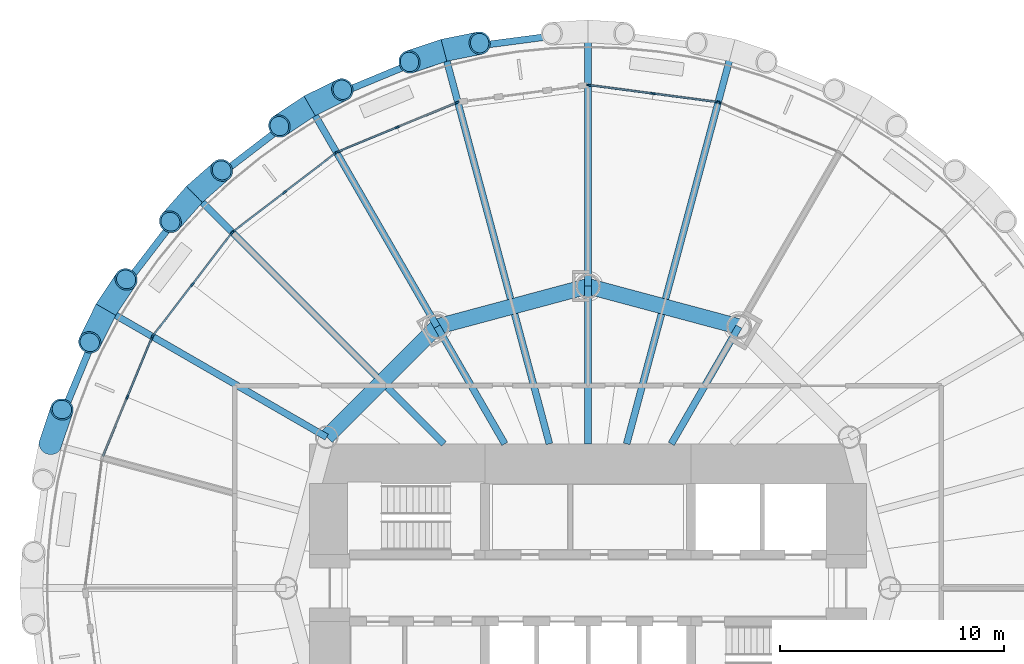
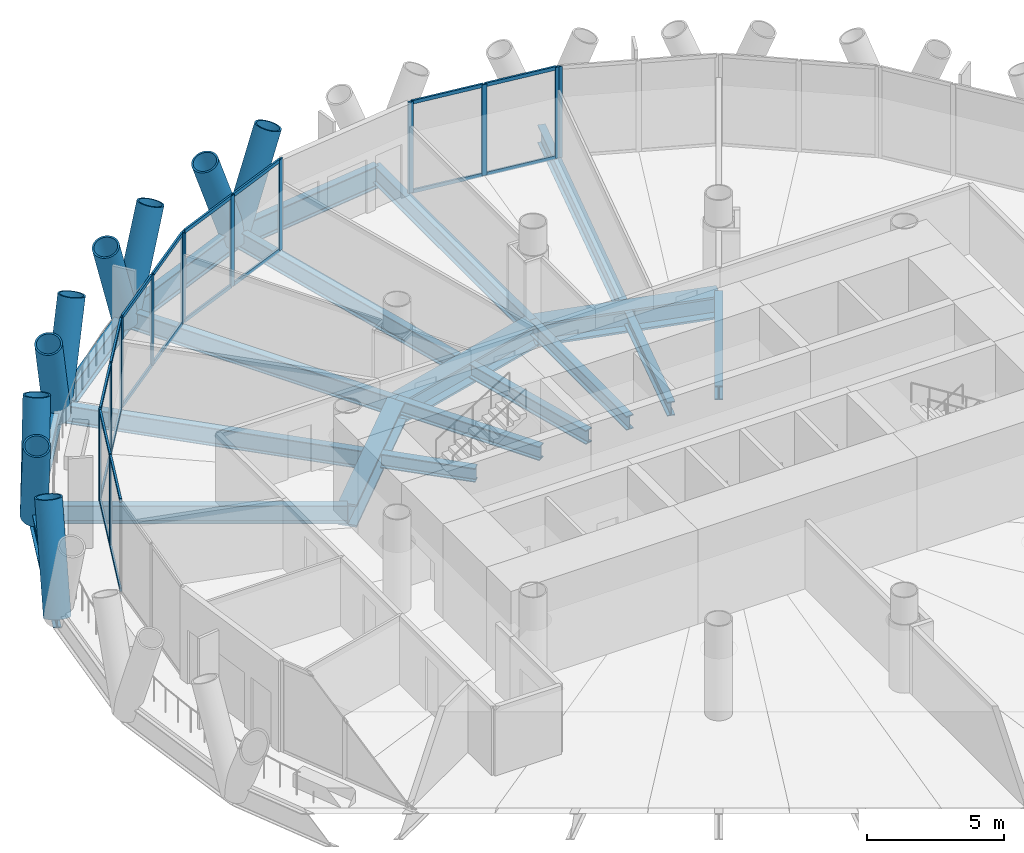
# One storey, part 5 of 15: 44 members, 20 beams, 6 elements without a shape of their own.
"""IFC4 building model written with IfcOpenShell, lengths in metres."""

from ifc_helpers import new_model, si_unit, direction, frame, origin, origin_2d, place, context, subcontext, project, spatial, rectangle, hollow_circle, i_section, extrude, material, material_profile, profile_set, type_object, element, aggregate, save


model = new_model("IFC4")

# Units and contexts
model_context = context("Model", 3, precision=1e-05, world=origin(), true_north=direction((0.0, 1.0)))
body_context = subcontext(model_context, "Body", "Model", "MODEL_VIEW")
ifc_project = project(units=[si_unit("LENGTHUNIT", "METRE"), si_unit("AREAUNIT", "SQUARE_METRE"), si_unit("VOLUMEUNIT", "CUBIC_METRE"), si_unit("PLANEANGLEUNIT", "RADIAN"), si_unit("MASSUNIT", "GRAM", prefix="KILO")], contexts=[model_context])

# Site, building, storey
site_placement = place(None, origin())
site = spatial("IfcSite", under=ifc_project, at=site_placement, CompositionType="ELEMENT")
building_placement = place(site_placement, origin())
building = spatial("IfcBuilding", under=site, at=building_placement, Name="Qaws Media Tower", CompositionType="ELEMENT")
storey_placement = place(building_placement, frame((0.0, 0.0, 143.60009765625)))
storey = spatial("IfcBuildingStorey", under=building, at=storey_placement, Name="L32", CompositionType="ELEMENT", Elevation=143.60009765625)

# Curtain wall, member
ifc_material_1 = material(Name="Aluminium and clear glass", Category="aluminium")
curtain_wall_type = type_object("IfcCurtainWallType", Name="Unitised curtain wall CW-B", PredefinedType="NOTDEFINED", material=ifc_material_1)
curtain_wall_1_placement = place(storey_placement, origin())
curtain_wall_1 = element("IfcCurtainWall", 1, at=curtain_wall_1_placement, inside=storey, type_object=curtain_wall_type, Name="CWB curtain wall L32-05", PredefinedType="NOTDEFINED")
ifc_material_2 = material(Name="Aluminium mullion", Category="aluminium")
ifc_material_profile_1 = material_profile(ifc_material_2, rectangle(XDim=0.080078125, YDim=0.199951171875, at=origin_2d()), Name="80x200")
ifc_profile_set_1 = profile_set([ifc_material_profile_1], Name="Aluminium mullion")
member_type_1 = type_object("IfcMemberType", Name="Curtain wall mullion 80x200", PredefinedType="MULLION", material=ifc_profile_set_1)
member_1_placement = place(storey_placement, frame((65.8603515625, 71.718017578125, 0.0), z_axis=(0.0, 0.0, 1.0), x_axis=(-0.38268338799, -0.923879550892, 0.0)))
member_1 = element("IfcMember", 2, at=member_1_placement, type_object=member_type_1, Name="CWB mullion 3", PredefinedType="MULLION", context=body_context, shape_type="SweptSolid", body=[
    extrude(rectangle(XDim=0.080078125, YDim=0.199951171875, at=origin_2d()), origin(), (0.0, 0.0, 1.0), 4.039794921875),
])
aggregate(curtain_wall_1, [member_1])

# Curtain wall, members
curtain_wall_2_placement = place(storey_placement, origin())
curtain_wall_2 = element("IfcCurtainWall", 3, at=curtain_wall_2_placement, inside=storey, type_object=curtain_wall_type, Name="CWB curtain wall L32-06", PredefinedType="NOTDEFINED")
member_2_placement = place(storey_placement, frame((65.78369140625, 71.738525390625, 0.0), z_axis=(0.0, 0.0, 1.0), x_axis=(-0.13052619684, -0.991444860766, 0.0)))
member_2 = element("IfcMember", 4, at=member_2_placement, type_object=member_type_1, Name="CWB mullion 1", PredefinedType="MULLION", context=body_context, shape_type="SweptSolid", body=[
    extrude(rectangle(XDim=0.080078125, YDim=0.199951171875, at=origin_2d()), origin(), (0.0, 0.0, 1.0), 4.039794921875),
])
member_3_placement = place(storey_placement, frame((62.91162109375, 72.11669921875, 0.0), z_axis=(0.0, 0.0, 1.0), x_axis=(-0.13052619684, -0.991444860766, 0.0)))
member_3 = element("IfcMember", 5, at=member_3_placement, type_object=member_type_1, Name="CWB mullion 2", PredefinedType="MULLION", context=body_context, shape_type="SweptSolid", body=[
    extrude(rectangle(XDim=0.080078125, YDim=0.199951171875, at=origin_2d()), origin(), (0.0, 0.0, 1.0), 4.039794921875),
])
member_4_placement = place(storey_placement, frame((60.03955078125, 72.494873046875, 0.0), z_axis=(0.0, 0.0, 1.0), x_axis=(-0.13052619684, -0.991444860766, 0.0)))
member_4 = element("IfcMember", 6, at=member_4_placement, type_object=member_type_1, Name="CWB mullion 3", PredefinedType="MULLION", context=body_context, shape_type="SweptSolid", body=[
    extrude(rectangle(XDim=0.080078125, YDim=0.199951171875, at=origin_2d()), origin(), (0.0, 0.0, 1.0), 4.039794921875),
])

curtain_wall_3_placement = place(storey_placement, origin())
curtain_wall_3 = element("IfcCurtainWall", 7, at=curtain_wall_3_placement, inside=storey, type_object=curtain_wall_type, Name="CWB curtain wall L32-08", PredefinedType="NOTDEFINED")
member_5_placement = place(storey_placement, frame((54.1396484375, 71.718017578125, 0.0), z_axis=(0.0, 0.0, 1.0), x_axis=(0.38268338799, -0.923879550892, 0.0)))
member_5 = element("IfcMember", 8, at=member_5_placement, type_object=member_type_1, Name="CWB mullion 1", PredefinedType="MULLION", context=body_context, shape_type="SweptSolid", body=[
    extrude(rectangle(XDim=0.080078125, YDim=0.199951171875, at=origin_2d()), origin(), (0.0, 0.0, 1.0), 4.039794921875),
])
member_6_placement = place(storey_placement, frame((51.46337890625, 70.609375, 0.0), z_axis=(0.0, 0.0, 1.0), x_axis=(0.38268338799, -0.923879550892, 0.0)))
member_6 = element("IfcMember", 9, at=member_6_placement, type_object=member_type_1, Name="CWB mullion 2", PredefinedType="MULLION", context=body_context, shape_type="SweptSolid", body=[
    extrude(rectangle(XDim=0.080078125, YDim=0.199951171875, at=origin_2d()), origin(), (0.0, 0.0, 1.0), 4.039794921875),
])
member_7_placement = place(storey_placement, frame((48.786865234375, 69.5009765625, 0.0), z_axis=(0.0, 0.0, 1.0), x_axis=(0.38268338799, -0.923879550892, 0.0)))
member_7 = element("IfcMember", 10, at=member_7_placement, type_object=member_type_1, Name="CWB mullion 3", PredefinedType="MULLION", context=body_context, shape_type="SweptSolid", body=[
    extrude(rectangle(XDim=0.080078125, YDim=0.199951171875, at=origin_2d()), origin(), (0.0, 0.0, 1.0), 4.039794921875),
])

curtain_wall_4_placement = place(storey_placement, origin())
curtain_wall_4 = element("IfcCurtainWall", 11, at=curtain_wall_4_placement, inside=storey, type_object=curtain_wall_type, Name="CWB curtain wall L32-09", PredefinedType="NOTDEFINED")
member_8_placement = place(storey_placement, frame((48.71826171875, 69.461181640625, 0.0), z_axis=(0.0, 0.0, 1.0), x_axis=(0.608761393298, -0.793353367693, 0.0)))
member_8 = element("IfcMember", 12, at=member_8_placement, type_object=member_type_1, Name="CWB mullion 1", PredefinedType="MULLION", context=body_context, shape_type="SweptSolid", body=[
    extrude(rectangle(XDim=0.080078125, YDim=0.199951171875, at=origin_2d()), origin(), (0.0, 0.0, 1.0), 4.039794921875),
])
member_9_placement = place(storey_placement, frame((46.420166015625, 67.69775390625, 0.0), z_axis=(0.0, 0.0, 1.0), x_axis=(0.608761393298, -0.793353367693, 0.0)))
member_9 = element("IfcMember", 13, at=member_9_placement, type_object=member_type_1, Name="CWB mullion 2", PredefinedType="MULLION", context=body_context, shape_type="SweptSolid", body=[
    extrude(rectangle(XDim=0.080078125, YDim=0.199951171875, at=origin_2d()), origin(), (0.0, 0.0, 1.0), 4.039794921875),
])
member_10_placement = place(storey_placement, frame((44.121826171875, 65.934326171875, 0.0), z_axis=(0.0, 0.0, 1.0), x_axis=(0.608761393298, -0.793353367693, 0.0)))
member_10 = element("IfcMember", 14, at=member_10_placement, type_object=member_type_1, Name="CWB mullion 3", PredefinedType="MULLION", context=body_context, shape_type="SweptSolid", body=[
    extrude(rectangle(XDim=0.080078125, YDim=0.199951171875, at=origin_2d()), origin(), (0.0, 0.0, 1.0), 4.039794921875),
])

curtain_wall_5_placement = place(storey_placement, origin())
curtain_wall_5 = element("IfcCurtainWall", 15, at=curtain_wall_5_placement, inside=storey, type_object=curtain_wall_type, Name="CWB curtain wall L32-10", PredefinedType="NOTDEFINED")
member_11_placement = place(storey_placement, frame((44.065673828125, 65.878173828125, 0.0), z_axis=(0.0, 0.0, 1.0), x_axis=(0.793353367693, -0.608761393298, 0.0)))
member_11 = element("IfcMember", 16, at=member_11_placement, type_object=member_type_1, Name="CWB mullion 1", PredefinedType="MULLION", context=body_context, shape_type="SweptSolid", body=[
    extrude(rectangle(XDim=0.080078125, YDim=0.199951171875, at=origin_2d()), origin(), (0.0, 0.0, 1.0), 4.039794921875),
])
member_12_placement = place(storey_placement, frame((42.30224609375, 63.579833984375, 0.0), z_axis=(0.0, 0.0, 1.0), x_axis=(0.793353367693, -0.608761393298, 0.0)))
member_12 = element("IfcMember", 17, at=member_12_placement, type_object=member_type_1, Name="CWB mullion 2", PredefinedType="MULLION", context=body_context, shape_type="SweptSolid", body=[
    extrude(rectangle(XDim=0.080078125, YDim=0.199951171875, at=origin_2d()), origin(), (0.0, 0.0, 1.0), 4.039794921875),
])
member_13_placement = place(storey_placement, frame((40.538818359375, 61.28173828125, 0.0), z_axis=(0.0, 0.0, 1.0), x_axis=(0.793353367693, -0.608761393298, 0.0)))
member_13 = element("IfcMember", 18, at=member_13_placement, type_object=member_type_1, Name="CWB mullion 3", PredefinedType="MULLION", context=body_context, shape_type="SweptSolid", body=[
    extrude(rectangle(XDim=0.080078125, YDim=0.199951171875, at=origin_2d()), origin(), (0.0, 0.0, 1.0), 4.039794921875),
])

curtain_wall_6_placement = place(storey_placement, origin())
curtain_wall_6 = element("IfcCurtainWall", 19, at=curtain_wall_6_placement, inside=storey, type_object=curtain_wall_type, Name="CWB curtain wall L32-11", PredefinedType="NOTDEFINED")
member_14_placement = place(storey_placement, frame((40.4990234375, 61.213134765625, 0.0), z_axis=(0.0, 0.0, 1.0), x_axis=(0.923879550892, -0.38268338799, 0.0)))
member_14 = element("IfcMember", 20, at=member_14_placement, type_object=member_type_1, Name="CWB mullion 1", PredefinedType="MULLION", context=body_context, shape_type="SweptSolid", body=[
    extrude(rectangle(XDim=0.080078125, YDim=0.199951171875, at=origin_2d()), origin(), (0.0, 0.0, 1.0), 4.039794921875),
])
member_15_placement = place(storey_placement, frame((39.390625, 58.53662109375, 0.0), z_axis=(0.0, 0.0, 1.0), x_axis=(0.923879550892, -0.38268338799, 0.0)))
member_15 = element("IfcMember", 21, at=member_15_placement, type_object=member_type_1, Name="CWB mullion 2", PredefinedType="MULLION", context=body_context, shape_type="SweptSolid", body=[
    extrude(rectangle(XDim=0.080078125, YDim=0.199951171875, at=origin_2d()), origin(), (0.0, 0.0, 1.0), 4.039794921875),
])

# Member
ifc_material_3 = material(Name="Aluminium transom", Category="aluminium")
ifc_material_profile_2 = material_profile(ifc_material_3, rectangle(XDim=0.080078125, YDim=0.159912109375, at=origin_2d()), Name="80x160")
ifc_profile_set_2 = profile_set([ifc_material_profile_2], Name="Aluminium transom")
member_type_2 = type_object("IfcMemberType", Name="Curtain wall transom 80x160", PredefinedType="USERDEFINED", material=ifc_profile_set_2)
member_16_placement = place(storey_placement, frame((65.744140625, 71.74365234375, 0.039794921875), z_axis=(-0.991444557635, 0.130528499327, 0.0), x_axis=(-0.130528499327, -0.991444557635, 0.0)))
member_16 = element("IfcMember", 22, at=member_16_placement, type_object=member_type_2, Name="CWB transom 1.1", ObjectType="TRANSOM", PredefinedType="USERDEFINED", context=body_context, shape_type="SweptSolid", body=[
    extrude(rectangle(XDim=0.080078125, YDim=0.159912109375, at=origin_2d()), origin(), (0.0, 0.0, 1.0), 2.81689453125),
])

member_17_placement = place(storey_placement, frame((65.744140625, 71.74365234375, 4.0), z_axis=(-0.991444557635, 0.130528499327, 0.0), x_axis=(-0.130528499327, -0.991444557635, 0.0)))
member_17 = element("IfcMember", 23, at=member_17_placement, type_object=member_type_2, Name="CWB transom 1.2", ObjectType="TRANSOM", PredefinedType="USERDEFINED", context=body_context, shape_type="SweptSolid", body=[
    extrude(rectangle(XDim=0.080078125, YDim=0.159912109375, at=origin_2d()), origin(), (0.0, 0.0, 1.0), 2.81689453125),
])

member_18_placement = place(storey_placement, frame((62.8720703125, 72.121826171875, 0.039794921875), z_axis=(-0.991444557635, 0.130528499327, 0.0), x_axis=(-0.130528499327, -0.991444557635, 0.0)))
member_18 = element("IfcMember", 24, at=member_18_placement, type_object=member_type_2, Name="CWB transom 2.1", ObjectType="TRANSOM", PredefinedType="USERDEFINED", context=body_context, shape_type="SweptSolid", body=[
    extrude(rectangle(XDim=0.080078125, YDim=0.159912109375, at=origin_2d()), origin(), (0.0, 0.0, 1.0), 2.81689453125),
])

member_19_placement = place(storey_placement, frame((62.8720703125, 72.121826171875, 4.0), z_axis=(-0.991444557635, 0.130528499327, 0.0), x_axis=(-0.130528499327, -0.991444557635, 0.0)))
member_19 = element("IfcMember", 25, at=member_19_placement, type_object=member_type_2, Name="CWB transom 2.2", ObjectType="TRANSOM", PredefinedType="USERDEFINED", context=body_context, shape_type="SweptSolid", body=[
    extrude(rectangle(XDim=0.080078125, YDim=0.159912109375, at=origin_2d()), origin(), (0.0, 0.0, 1.0), 2.81689453125),
])

aggregate(curtain_wall_2, [member_2, member_3, member_4, member_16, member_17, member_18, member_19])

member_20_placement = place(storey_placement, frame((54.1025390625, 71.70263671875, 0.039794921875), z_axis=(-0.923882669313, -0.382675859369, 0.0), x_axis=(0.382675859369, -0.923882669313, 0.0)))
member_20 = element("IfcMember", 26, at=member_20_placement, type_object=member_type_2, Name="CWB transom 1.1", ObjectType="TRANSOM", PredefinedType="USERDEFINED", context=body_context, shape_type="SweptSolid", body=[
    extrude(rectangle(XDim=0.080078125, YDim=0.159912109375, at=origin_2d()), origin(), (0.0, 0.0, 1.0), 2.816650390625),
])

member_21_placement = place(storey_placement, frame((54.1025390625, 71.70263671875, 4.0), z_axis=(-0.923882669313, -0.382675859369, 0.0), x_axis=(0.382675859369, -0.923882669313, 0.0)))
member_21 = element("IfcMember", 27, at=member_21_placement, type_object=member_type_2, Name="CWB transom 1.2", ObjectType="TRANSOM", PredefinedType="USERDEFINED", context=body_context, shape_type="SweptSolid", body=[
    extrude(rectangle(XDim=0.080078125, YDim=0.159912109375, at=origin_2d()), origin(), (0.0, 0.0, 1.0), 2.816650390625),
])

member_22_placement = place(storey_placement, frame((51.42626953125, 70.59423828125, 0.039794921875), z_axis=(-0.92385202317, -0.382749839039, 0.0), x_axis=(0.382749839039, -0.92385202317, 0.0)))
member_22 = element("IfcMember", 28, at=member_22_placement, type_object=member_type_2, Name="CWB transom 2.1", ObjectType="TRANSOM", PredefinedType="USERDEFINED", context=body_context, shape_type="SweptSolid", body=[
    extrude(rectangle(XDim=0.080078125, YDim=0.159912109375, at=origin_2d()), origin(), (0.0, 0.0, 1.0), 2.81689453125),
])

member_23_placement = place(storey_placement, frame((51.42626953125, 70.59423828125, 4.0), z_axis=(-0.92385202317, -0.382749839039, 0.0), x_axis=(0.382749839039, -0.92385202317, 0.0)))
member_23 = element("IfcMember", 29, at=member_23_placement, type_object=member_type_2, Name="CWB transom 2.2", ObjectType="TRANSOM", PredefinedType="USERDEFINED", context=body_context, shape_type="SweptSolid", body=[
    extrude(rectangle(XDim=0.080078125, YDim=0.159912109375, at=origin_2d()), origin(), (0.0, 0.0, 1.0), 2.81689453125),
])

aggregate(curtain_wall_3, [member_5, member_6, member_7, member_20, member_21, member_22, member_23])

member_24_placement = place(storey_placement, frame((48.6865234375, 69.436767578125, 0.039794921875), z_axis=(-0.793367737451, -0.608742665806, 0.0), x_axis=(0.608742665806, -0.793367737451, 0.0)))
member_24 = element("IfcMember", 30, at=member_24_placement, type_object=member_type_2, Name="CWB transom 1.1", ObjectType="TRANSOM", PredefinedType="USERDEFINED", context=body_context, shape_type="SweptSolid", body=[
    extrude(rectangle(XDim=0.080078125, YDim=0.159912109375, at=origin_2d()), origin(), (0.0, 0.0, 1.0), 2.816650390625),
])

member_25_placement = place(storey_placement, frame((48.6865234375, 69.436767578125, 4.0), z_axis=(-0.793367737451, -0.608742665806, 0.0), x_axis=(0.608742665806, -0.793367737451, 0.0)))
member_25 = element("IfcMember", 31, at=member_25_placement, type_object=member_type_2, Name="CWB transom 1.2", ObjectType="TRANSOM", PredefinedType="USERDEFINED", context=body_context, shape_type="SweptSolid", body=[
    extrude(rectangle(XDim=0.080078125, YDim=0.159912109375, at=origin_2d()), origin(), (0.0, 0.0, 1.0), 2.816650390625),
])

member_26_placement = place(storey_placement, frame((46.388427734375, 67.67333984375, 0.039794921875), z_axis=(-0.793357996817, -0.608755360459, 0.0), x_axis=(0.608755360459, -0.793357996817, 0.0)))
member_26 = element("IfcMember", 32, at=member_26_placement, type_object=member_type_2, Name="CWB transom 2.1", ObjectType="TRANSOM", PredefinedType="USERDEFINED", context=body_context, shape_type="SweptSolid", body=[
    extrude(rectangle(XDim=0.080078125, YDim=0.159912109375, at=origin_2d()), origin(), (0.0, 0.0, 1.0), 2.81689453125),
])

member_27_placement = place(storey_placement, frame((46.388427734375, 67.67333984375, 4.0), z_axis=(-0.793357996817, -0.608755360459, 0.0), x_axis=(0.608755360459, -0.793357996817, 0.0)))
member_27 = element("IfcMember", 33, at=member_27_placement, type_object=member_type_2, Name="CWB transom 2.2", ObjectType="TRANSOM", PredefinedType="USERDEFINED", context=body_context, shape_type="SweptSolid", body=[
    extrude(rectangle(XDim=0.080078125, YDim=0.159912109375, at=origin_2d()), origin(), (0.0, 0.0, 1.0), 2.81689453125),
])

aggregate(curtain_wall_4, [member_8, member_9, member_10, member_24, member_25, member_26, member_27])

member_28_placement = place(storey_placement, frame((44.04150390625, 65.846435546875, 0.039794921875), z_axis=(-0.608755360459, -0.793357996817, 0.0), x_axis=(0.793357996817, -0.608755360459, 0.0)))
member_28 = element("IfcMember", 34, at=member_28_placement, type_object=member_type_2, Name="CWB transom 1.1", ObjectType="TRANSOM", PredefinedType="USERDEFINED", context=body_context, shape_type="SweptSolid", body=[
    extrude(rectangle(XDim=0.080078125, YDim=0.159912109375, at=origin_2d()), origin(), (0.0, 0.0, 1.0), 2.81689453125),
])

member_29_placement = place(storey_placement, frame((44.04150390625, 65.846435546875, 4.0), z_axis=(-0.608755360459, -0.793357996817, 0.0), x_axis=(0.793357996817, -0.608755360459, 0.0)))
member_29 = element("IfcMember", 35, at=member_29_placement, type_object=member_type_2, Name="CWB transom 1.2", ObjectType="TRANSOM", PredefinedType="USERDEFINED", context=body_context, shape_type="SweptSolid", body=[
    extrude(rectangle(XDim=0.080078125, YDim=0.159912109375, at=origin_2d()), origin(), (0.0, 0.0, 1.0), 2.81689453125),
])

member_30_placement = place(storey_placement, frame((42.27783203125, 63.548095703125, 0.039794921875), z_axis=(-0.608742665806, -0.793367737451, 0.0), x_axis=(0.793367737451, -0.608742665806, 0.0)))
member_30 = element("IfcMember", 36, at=member_30_placement, type_object=member_type_2, Name="CWB transom 2.1", ObjectType="TRANSOM", PredefinedType="USERDEFINED", context=body_context, shape_type="SweptSolid", body=[
    extrude(rectangle(XDim=0.080078125, YDim=0.159912109375, at=origin_2d()), origin(), (0.0, 0.0, 1.0), 2.816650390625),
])

member_31_placement = place(storey_placement, frame((42.27783203125, 63.548095703125, 4.0), z_axis=(-0.608742665806, -0.793367737451, 0.0), x_axis=(0.793367737451, -0.608742665806, 0.0)))
member_31 = element("IfcMember", 37, at=member_31_placement, type_object=member_type_2, Name="CWB transom 2.2", ObjectType="TRANSOM", PredefinedType="USERDEFINED", context=body_context, shape_type="SweptSolid", body=[
    extrude(rectangle(XDim=0.080078125, YDim=0.159912109375, at=origin_2d()), origin(), (0.0, 0.0, 1.0), 2.816650390625),
])

aggregate(curtain_wall_5, [member_11, member_12, member_13, member_28, member_29, member_30, member_31])

member_32_placement = place(storey_placement, frame((40.48388671875, 61.176025390625, 0.039794921875), z_axis=(-0.382749839039, -0.92385202317, 0.0), x_axis=(0.92385202317, -0.382749839039, 0.0)))
member_32 = element("IfcMember", 38, at=member_32_placement, type_object=member_type_2, Name="CWB transom 1.1", ObjectType="TRANSOM", PredefinedType="USERDEFINED", context=body_context, shape_type="SweptSolid", body=[
    extrude(rectangle(XDim=0.080078125, YDim=0.159912109375, at=origin_2d()), origin(), (0.0, 0.0, 1.0), 2.81689453125),
])

member_33_placement = place(storey_placement, frame((40.48388671875, 61.176025390625, 4.0), z_axis=(-0.382749839039, -0.92385202317, 0.0), x_axis=(0.92385202317, -0.382749839039, 0.0)))
member_33 = element("IfcMember", 39, at=member_33_placement, type_object=member_type_2, Name="CWB transom 1.2", ObjectType="TRANSOM", PredefinedType="USERDEFINED", context=body_context, shape_type="SweptSolid", body=[
    extrude(rectangle(XDim=0.080078125, YDim=0.159912109375, at=origin_2d()), origin(), (0.0, 0.0, 1.0), 2.81689453125),
])

member_34_placement = place(storey_placement, frame((39.375244140625, 58.499755859375, 0.039794921875), z_axis=(-0.382675859369, -0.923882669313, 0.0), x_axis=(0.923882669313, -0.382675859369, 0.0)))
member_34 = element("IfcMember", 40, at=member_34_placement, type_object=member_type_2, Name="CWB transom 2.1", ObjectType="TRANSOM", PredefinedType="USERDEFINED", context=body_context, shape_type="SweptSolid", body=[
    extrude(rectangle(XDim=0.080078125, YDim=0.159912109375, at=origin_2d()), origin(), (0.0, 0.0, 1.0), 2.816650390625),
])

member_35_placement = place(storey_placement, frame((39.375244140625, 58.499755859375, 4.0), z_axis=(-0.382675859369, -0.923882669313, 0.0), x_axis=(0.923882669313, -0.382675859369, 0.0)))
member_35 = element("IfcMember", 41, at=member_35_placement, type_object=member_type_2, Name="CWB transom 2.2", ObjectType="TRANSOM", PredefinedType="USERDEFINED", context=body_context, shape_type="SweptSolid", body=[
    extrude(rectangle(XDim=0.080078125, YDim=0.159912109375, at=origin_2d()), origin(), (0.0, 0.0, 1.0), 2.816650390625),
])

aggregate(curtain_wall_6, [member_14, member_15, member_32, member_33, member_34, member_35])

# Members
ifc_material_4 = material(Name="Steel S460", Category="steel")
ifc_material_profile_3 = material_profile(ifc_material_4, hollow_circle(Radius=0.508056640625, WallThickness=0.070068359375, at=origin_2d()), Name="CHS 1016x70")
ifc_profile_set_3 = profile_set([ifc_material_profile_3], Name="Steel S460")
member_type_3 = type_object("IfcMemberType", Name="Diagrid member CHS 1016x70", PredefinedType="USERDEFINED", material=ifc_profile_set_3)
for number, where, z_axis, x_axis, name in (
    (42, (53.555419921875, 74.051513671875, -0.6640625), (-0.342583052797, -0.115495093421, 0.932361375933), (0.319464039, -0.947598400055, 0.0), "DG3 diagrid L32 A08"),
    (43, (53.555419921875, 74.051513671875, -0.6640625), (0.354449921381, 0.071269364926, 0.932355045493), (-0.197125006932, 0.980378361472, 0.0), "DG3 diagrid L32 B08"),
    (44, (47.550048828125, 71.56396484375, -0.6640625), (-0.301015104444, -0.200207021213, 0.932366374101), (0.55380035877, -0.832649483652, 0.0), "DG3 diagrid L32 A09"),
    (45, (47.550048828125, 71.56396484375, -0.6640625), (0.323886904548, 0.160588503711, 0.93236720531), (-0.444212684462, 0.895921364274, 0.0), "DG3 diagrid L32 B09"),
    (46, (42.39306640625, 67.60693359375, -0.6640625), (-0.238905037689, -0.271315476105, 0.932369184065), (0.750511242049, -0.660857681772, 0.0), "DG3 diagrid L32 A10"),
    (47, (42.39306640625, 67.60693359375, -0.6640625), (0.271315476105, 0.238905037689, 0.932369184065), (-0.660857681772, 0.750511242049, 0.0), "DG3 diagrid L32 B10"),
    (48, (38.43603515625, 62.449951171875, -0.6640625), (-0.160588503711, -0.323886904548, 0.93236720531), (0.895921364274, -0.444212684462, 0.0), "DG3 diagrid L32 A11"),
    (49, (38.43603515625, 62.449951171875, -0.6640625), (0.200207021213, 0.301015104444, 0.932366374101), (-0.832649483652, 0.55380035877, 0.0), "DG3 diagrid L32 B11"),
    (50, (35.948486328125, 56.444580078125, -0.6640625), (0.115495093421, 0.342583052797, 0.932361375933), (-0.947598400055, 0.319464039, 0.0), "DG3 diagrid L32 B12"),
):
    element("IfcMember", number, at=place(storey_placement, frame(where, z_axis=z_axis, x_axis=x_axis)), inside=storey, type_object=member_type_3, Name=name, ObjectType="DIAGRID", PredefinedType="USERDEFINED", context=body_context, shape_type="SweptSolid", body=[
        extrude(hollow_circle(Radius=0.508056640625, WallThickness=0.070068359375, at=origin_2d()), origin(), (0.0, 0.0, 1.0), 4.504638671875),
    ])

# Beams
ifc_material_5 = material(Name="Steel S460", Category="steel")
ifc_material_profile_4 = material_profile(ifc_material_5, i_section(OverallWidth=0.302001953125, OverallDepth=1.008056640625, WebThickness=0.02099609375, FlangeThickness=0.0400390625, FilletRadius=0.030029296875, at=origin_2d()), Name="HE 1000 M")
ifc_profile_set_4 = profile_set([ifc_material_profile_4], Name="Steel S460")
beam_type_1 = type_object("IfcBeamType", Name="Edge ring beam HE 1000 M", PredefinedType="BEAM", material=ifc_profile_set_4)
for number, where, z_axis, x_axis, name in (
    (51, (60.0, 74.89990234375, -0.6640625), (-0.991445984009, -0.130517664675, 0.0), (0.130517664675, -0.991445984009, 0.0), "RB3 edge ring beam L32-07"),
    (52, (53.555419921875, 74.051513671875, -0.6640625), (-0.9238772114, -0.382689035976, 0.0), (0.382689035976, -0.9238772114, 0.0), "RB3 edge ring beam L32-08"),
    (53, (47.550048828125, 71.56396484375, -0.6640625), (-0.793357838289, -0.608755567059, 0.0), (0.608755567059, -0.793357838289, 0.0), "RB3 edge ring beam L32-09"),
    (54, (42.39306640625, 67.60693359375, -0.6640625), (-0.608755567059, -0.793357838289, 0.0), (0.793357838289, -0.608755567059, 0.0), "RB3 edge ring beam L32-10"),
    (55, (38.43603515625, 62.449951171875, -0.6640625), (-0.382689035976, -0.9238772114, 0.0), (0.9238772114, -0.382689035976, 0.0), "RB3 edge ring beam L32-11"),
):
    element("IfcBeam", number, at=place(storey_placement, frame(where, z_axis=z_axis, x_axis=x_axis)), inside=storey, type_object=beam_type_1, Name=name, PredefinedType="BEAM", context=body_context, shape_type="SweptSolid", body=[
        extrude(i_section(OverallWidth=0.302001953125, OverallDepth=1.008056640625, WebThickness=0.02099609375, FlangeThickness=0.0400390625, FilletRadius=0.030029296875, at=origin_2d()), origin(), (0.0, 0.0, 1.0), 6.500244140625),
    ])
ifc_material_6 = material(Name="Steel S460", Category="steel")
ifc_material_profile_5 = material_profile(ifc_material_6, i_section(OverallWidth=0.699951171875, OverallDepth=1.0, WebThickness=0.034912109375, FlangeThickness=0.090087890625, at=origin_2d()), Name="PG 1000x700")
ifc_profile_set_5 = profile_set([ifc_material_profile_5], Name="Steel S460")
beam_type_2 = type_object("IfcBeamType", Name="Inner ring girder PG 1000x700", PredefinedType="BEAM", material=ifc_profile_set_5)
for number, where, z_axis, x_axis, name in (
    (56, (66.75, 61.69140625, -0.66015625), (-0.965928090778, 0.258810593767, 0.0), (-0.258810593767, -0.965928090778, 0.0), "B3 inner ring beam L32 I03-I04"),
    (57, (60.0, 63.5, -0.66015625), (-0.965928090778, -0.258810593767, 0.0), (0.258810593767, -0.965928090778, 0.0), "B3 inner ring beam L32 I04-I05"),
):
    element("IfcBeam", number, at=place(storey_placement, frame(where, z_axis=z_axis, x_axis=x_axis)), inside=storey, type_object=beam_type_2, Name=name, PredefinedType="BEAM", context=body_context, shape_type="SweptSolid", body=[
        extrude(i_section(OverallWidth=0.699951171875, OverallDepth=1.0, WebThickness=0.034912109375, FlangeThickness=0.090087890625, at=origin_2d()), origin(), (0.0, 0.0, 1.0), 6.988037109375),
    ])
beam_1_placement = place(storey_placement, frame((53.25, 61.69140625, -0.66015625), z_axis=(-0.707106781187, -0.707106781187, 0.0), x_axis=(0.707106781187, -0.707106781187, 0.0)))
element("IfcBeam", 58, at=beam_1_placement, inside=storey, type_object=beam_type_2, Name="B3 inner ring beam L32 I05-I06", PredefinedType="BEAM", context=body_context, shape_type="SweptSolid", body=[
    extrude(i_section(OverallWidth=0.699951171875, OverallDepth=1.0, WebThickness=0.034912109375, FlangeThickness=0.090087890625, at=origin_2d()), origin(), (0.0, 0.0, 1.0), 6.98828125),
])
ifc_material_7 = material(Name="Steel S355", Category="steel")
ifc_material_profile_6 = material_profile(ifc_material_7, i_section(OverallWidth=0.304931640625, OverallDepth=0.6201171875, WebThickness=0.02099609375, FlangeThickness=0.0400390625, FilletRadius=0.027099609375, at=origin_2d()), Name="HE 600 M")
ifc_profile_set_6 = profile_set([ifc_material_profile_6], Name="Steel S355")
beam_type_3 = type_object("IfcBeamType", Name="Radial beam HE 600 M, core side", PredefinedType="BEAM", material=ifc_profile_set_6)
beam_2_placement = place(storey_placement, frame((63.723876953125, 56.449951171875, -0.47021484375), z_axis=(0.499995978368, 0.866027725662, 0.0), x_axis=(-0.866027725662, 0.499995978368, 0.0)))
element("IfcBeam", 59, at=beam_2_placement, inside=storey, type_object=beam_type_3, Name="B2 radial beam L32 05", PredefinedType="BEAM", context=body_context, shape_type="SweptSolid", body=[
    extrude(i_section(OverallWidth=0.304931640625, OverallDepth=0.6201171875, WebThickness=0.02099609375, FlangeThickness=0.0400390625, FilletRadius=0.027099609375, at=origin_2d()), origin(), (0.0, 0.0, 1.0), 6.05224609375),
])
beam_3_placement = place(storey_placement, frame((61.728271484375, 56.449951171875, -0.47021484375), z_axis=(0.258819977482, 0.965925576458, 0.0), x_axis=(-0.965925576458, 0.258819977482, 0.0)))
element("IfcBeam", 60, at=beam_3_placement, inside=storey, type_object=beam_type_3, Name="B2 radial beam L32 06", PredefinedType="BEAM", context=body_context, shape_type="SweptSolid", body=[
    extrude(i_section(OverallWidth=0.304931640625, OverallDepth=0.6201171875, WebThickness=0.02099609375, FlangeThickness=0.0400390625, FilletRadius=0.027099609375, at=origin_2d()), origin(), (0.0, 0.0, 1.0), 6.012451171875),
])
beam_4_placement = place(storey_placement, frame((60.0, 56.449951171875, -0.47021484375), z_axis=(0.0, 1.0, 0.0), x_axis=(-1.0, 0.0, 0.0)))
element("IfcBeam", 61, at=beam_4_placement, inside=storey, type_object=beam_type_3, Name="B2 radial beam L32 07", PredefinedType="BEAM", context=body_context, shape_type="SweptSolid", body=[
    extrude(i_section(OverallWidth=0.304931640625, OverallDepth=0.6201171875, WebThickness=0.02099609375, FlangeThickness=0.0400390625, FilletRadius=0.027099609375, at=origin_2d()), origin(), (0.0, 0.0, 1.0), 7.050048828125),
])
beam_5_placement = place(storey_placement, frame((58.271728515625, 56.449951171875, -0.47021484375), z_axis=(-0.258819977482, 0.965925576458, 0.0), x_axis=(-0.965925576458, -0.258819977482, 0.0)))
element("IfcBeam", 62, at=beam_5_placement, inside=storey, type_object=beam_type_3, Name="B2 radial beam L32 08", PredefinedType="BEAM", context=body_context, shape_type="SweptSolid", body=[
    extrude(i_section(OverallWidth=0.304931640625, OverallDepth=0.6201171875, WebThickness=0.02099609375, FlangeThickness=0.0400390625, FilletRadius=0.027099609375, at=origin_2d()), origin(), (0.0, 0.0, 1.0), 6.012451171875),
])
beam_6_placement = place(storey_placement, frame((56.276123046875, 56.449951171875, -0.47021484375), z_axis=(-0.499995978368, 0.866027725662, 0.0), x_axis=(-0.866027725662, -0.499995978368, 0.0)))
element("IfcBeam", 63, at=beam_6_placement, inside=storey, type_object=beam_type_3, Name="B2 radial beam L32 09", PredefinedType="BEAM", context=body_context, shape_type="SweptSolid", body=[
    extrude(i_section(OverallWidth=0.304931640625, OverallDepth=0.6201171875, WebThickness=0.02099609375, FlangeThickness=0.0400390625, FilletRadius=0.027099609375, at=origin_2d()), origin(), (0.0, 0.0, 1.0), 6.05224609375),
])
beam_7_placement = place(storey_placement, frame((53.550048828125, 56.449951171875, -0.47021484375), z_axis=(-0.707106781187, 0.707106781187, 0.0), x_axis=(-0.707106781187, -0.707106781187, 0.0)))
element("IfcBeam", 64, at=beam_7_placement, inside=storey, type_object=beam_type_3, Name="B2 radial beam L32 10", PredefinedType="BEAM", context=body_context, shape_type="SweptSolid", body=[
    extrude(i_section(OverallWidth=0.304931640625, OverallDepth=0.6201171875, WebThickness=0.02099609375, FlangeThickness=0.0400390625, FilletRadius=0.027099609375, at=origin_2d()), origin(), (0.0, 0.0, 1.0), 3.568359375),
])
ifc_material_8 = material(Name="Steel S355", Category="steel")
ifc_material_profile_7 = material_profile(ifc_material_8, i_section(OverallWidth=0.300048828125, OverallDepth=0.800048828125, WebThickness=0.017578125, FlangeThickness=0.032958984375, FilletRadius=0.030029296875, at=origin_2d()), Name="HE 800 B")
ifc_profile_set_7 = profile_set([ifc_material_profile_7], Name="Steel S355")
beam_type_4 = type_object("IfcBeamType", Name="Radial beam HE 800 B", PredefinedType="BEAM", material=ifc_profile_set_7)
beam_8_placement = place(storey_placement, frame((63.465576171875, 62.933837890625, -0.56005859375), z_axis=(0.258821611438, 0.965925138638, 0.0), x_axis=(-0.965925138638, 0.258821611438, 0.0)))
element("IfcBeam", 65, at=beam_8_placement, inside=storey, type_object=beam_type_4, Name="B1 radial beam L32 06", PredefinedType="BEAM", context=body_context, shape_type="SweptSolid", body=[
    extrude(i_section(OverallWidth=0.300048828125, OverallDepth=0.800048828125, WebThickness=0.017578125, FlangeThickness=0.032958984375, FilletRadius=0.030029296875, at=origin_2d()), origin(), (0.0, 0.0, 1.0), 11.509765625),
])
beam_9_placement = place(storey_placement, frame((60.0, 63.5, -0.56005859375), z_axis=(0.0, 1.0, 0.0), x_axis=(-1.0, 0.0, 0.0)))
element("IfcBeam", 66, at=beam_9_placement, inside=storey, type_object=beam_type_4, Name="B1 radial beam L32 07", PredefinedType="BEAM", context=body_context, shape_type="SweptSolid", body=[
    extrude(i_section(OverallWidth=0.300048828125, OverallDepth=0.800048828125, WebThickness=0.017578125, FlangeThickness=0.032958984375, FilletRadius=0.030029296875, at=origin_2d()), origin(), (0.0, 0.0, 1.0), 11.39990234375),
])
beam_10_placement = place(storey_placement, frame((56.534423828125, 62.933837890625, -0.56005859375), z_axis=(-0.258821611438, 0.965925138638, 0.0), x_axis=(-0.965925138638, -0.258821611438, 0.0)))
element("IfcBeam", 67, at=beam_10_placement, inside=storey, type_object=beam_type_4, Name="B1 radial beam L32 08", PredefinedType="BEAM", context=body_context, shape_type="SweptSolid", body=[
    extrude(i_section(OverallWidth=0.300048828125, OverallDepth=0.800048828125, WebThickness=0.017578125, FlangeThickness=0.032958984375, FilletRadius=0.030029296875, at=origin_2d()), origin(), (0.0, 0.0, 1.0), 11.509765625),
])
beam_11_placement = place(storey_placement, frame((53.25, 61.69140625, -0.56005859375), z_axis=(-0.500001763848, 0.866024385424, 0.0), x_axis=(-0.866024385424, -0.500001763848, 0.0)))
element("IfcBeam", 68, at=beam_11_placement, inside=storey, type_object=beam_type_4, Name="B1 radial beam L32 09", PredefinedType="BEAM", context=body_context, shape_type="SweptSolid", body=[
    extrude(i_section(OverallWidth=0.300048828125, OverallDepth=0.800048828125, WebThickness=0.017578125, FlangeThickness=0.032958984375, FilletRadius=0.030029296875, at=origin_2d()), origin(), (0.0, 0.0, 1.0), 11.39990234375),
])
beam_12_placement = place(storey_placement, frame((50.53173828125, 59.46826171875, -0.56005859375), z_axis=(-0.707106781187, 0.707106781187, 0.0), x_axis=(-0.707106781187, -0.707106781187, 0.0)))
element("IfcBeam", 69, at=beam_12_placement, inside=storey, type_object=beam_type_4, Name="B1 radial beam L32 10", PredefinedType="BEAM", context=body_context, shape_type="SweptSolid", body=[
    extrude(i_section(OverallWidth=0.300048828125, OverallDepth=0.800048828125, WebThickness=0.017578125, FlangeThickness=0.032958984375, FilletRadius=0.030029296875, at=origin_2d()), origin(), (0.0, 0.0, 1.0), 11.509765625),
])
beam_13_placement = place(storey_placement, frame((48.30859375, 56.75, -0.56005859375), z_axis=(-0.866024385424, 0.500001763848, 0.0), x_axis=(-0.500001763848, -0.866024385424, 0.0)))
element("IfcBeam", 70, at=beam_13_placement, inside=storey, type_object=beam_type_4, Name="B1 radial beam L32 11", PredefinedType="BEAM", context=body_context, shape_type="SweptSolid", body=[
    extrude(i_section(OverallWidth=0.300048828125, OverallDepth=0.800048828125, WebThickness=0.017578125, FlangeThickness=0.032958984375, FilletRadius=0.030029296875, at=origin_2d()), origin(), (0.0, 0.0, 1.0), 11.39990234375),
])

save(model, "model.ifc")
